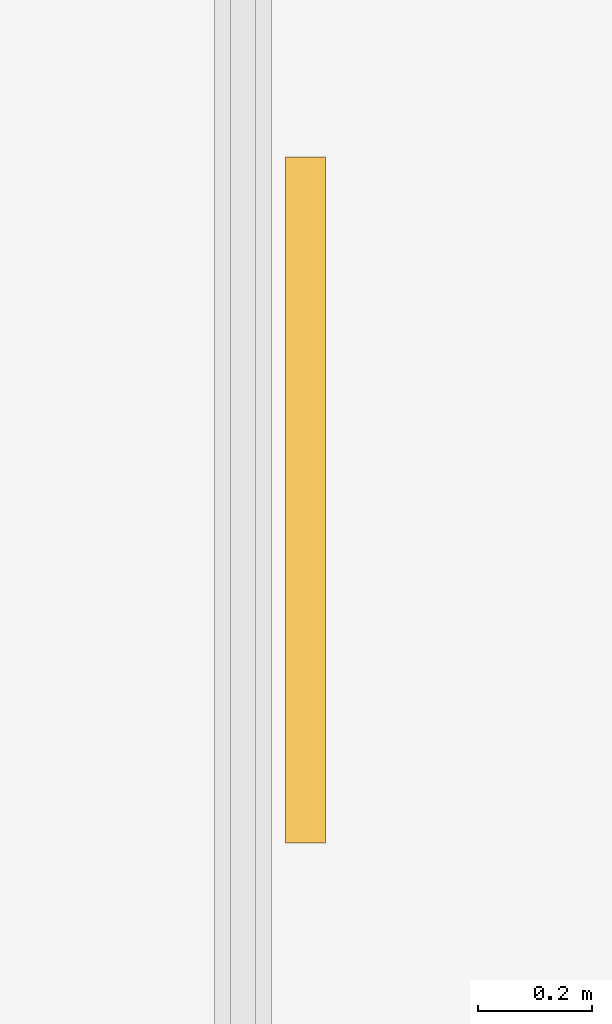
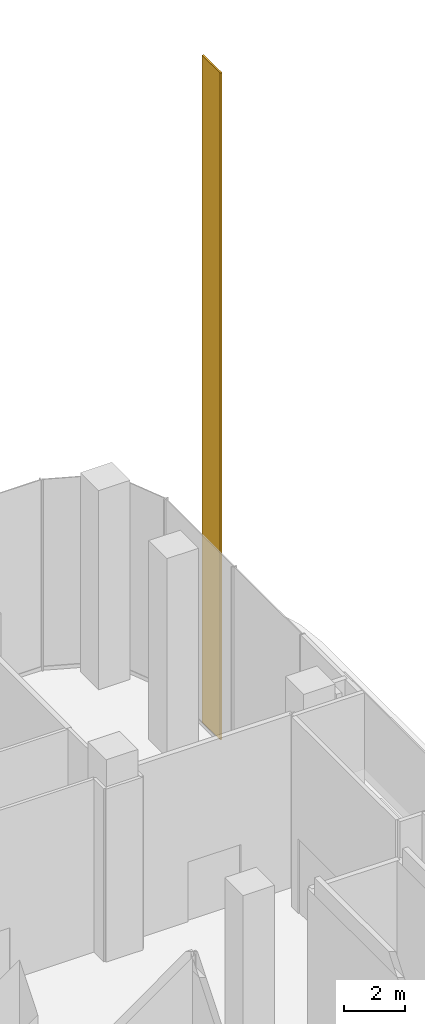
# One storey, part 41 of 42: 1 covering.
"""IFC4 building model written with IfcOpenShell, lengths in metres."""

from ifc_helpers import new_model, si_unit, direction, frame, origin, origin_2d, place, context, subcontext, project, spatial, rectangle, extrude, material, layer, layer_set, type_object, element, save


model = new_model("IFC4")

# Units and contexts
model_context = context("Model", 3, precision=1e-05, world=origin(), true_north=direction((0.0, 1.0)))
body_context = subcontext(model_context, "Body", "Model", "MODEL_VIEW")
ifc_project = project(units=[si_unit("LENGTHUNIT", "METRE"), si_unit("AREAUNIT", "SQUARE_METRE"), si_unit("VOLUMEUNIT", "CUBIC_METRE"), si_unit("PLANEANGLEUNIT", "RADIAN"), si_unit("MASSUNIT", "GRAM", prefix="KILO")], contexts=[model_context])

# Site, building, storey
site_placement = place(None, origin())
site = spatial("IfcSite", under=ifc_project, at=site_placement, CompositionType="ELEMENT")
building_placement = place(site_placement, origin())
building = spatial("IfcBuilding", under=site, at=building_placement, Name="Plateau Cross Towers", CompositionType="ELEMENT")
storey_placement = place(building_placement, origin())
storey = spatial("IfcBuildingStorey", under=building, at=storey_placement, Name="L00", CompositionType="ELEMENT", Elevation=0.0)

# Covering
ifc_material = material(Name="Aluminium composite cladding", Category="aluminium")
ifc_layer = layer(ifc_material, 0.070068359375)
ifc_layer_set = layer_set([ifc_layer], Name="Aluminium composite cladding")
covering_type = type_object("IfcCoveringType", Name="Podium pier cladding 1200", PredefinedType="CLADDING", material=ifc_layer_set)
covering_placement = place(storey_placement, frame((107.9599609375, 54.0, 0.0), z_axis=(0.0, 0.0, 1.0), x_axis=(0.0, 1.0, 0.0)))
element("IfcCovering", 1, at=covering_placement, inside=storey, type_object=covering_type, Name="Podium pier E6", PredefinedType="CLADDING", context=body_context, shape_type="SweptSolid", body=[
    extrude(rectangle(XDim=1.199951171875, YDim=0.070068359375, at=origin_2d()), origin(), (0.0, 0.0, 1.0), 26.800048828125),
])

save(model, "model.ifc")
